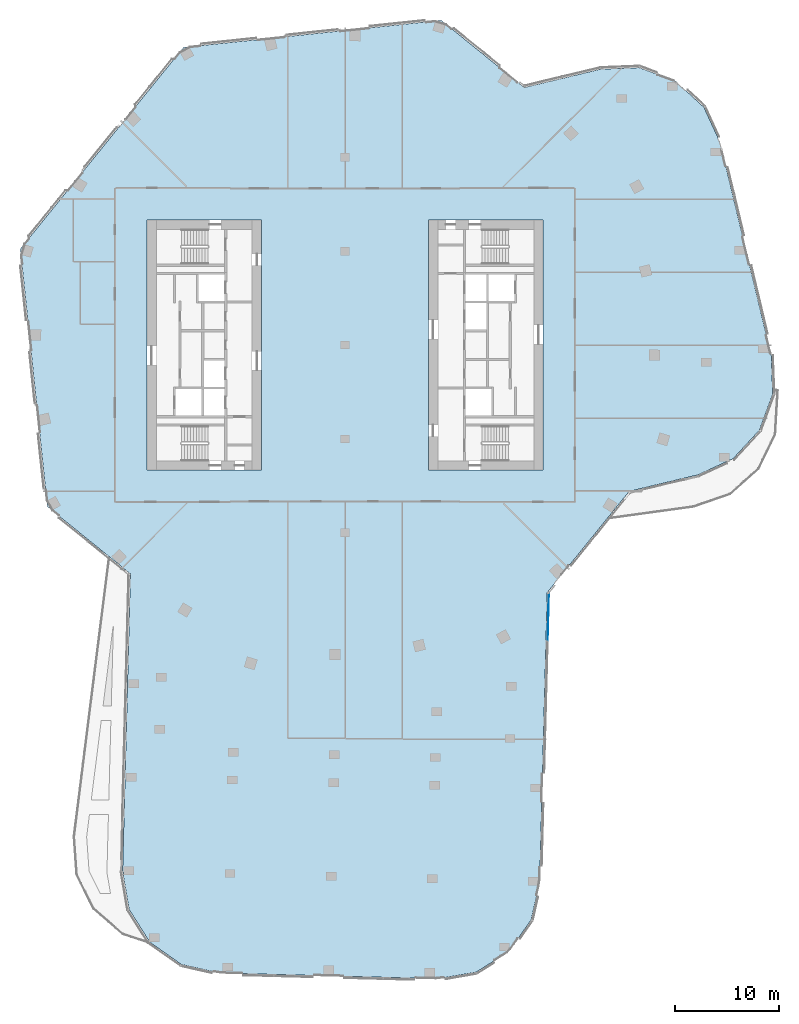
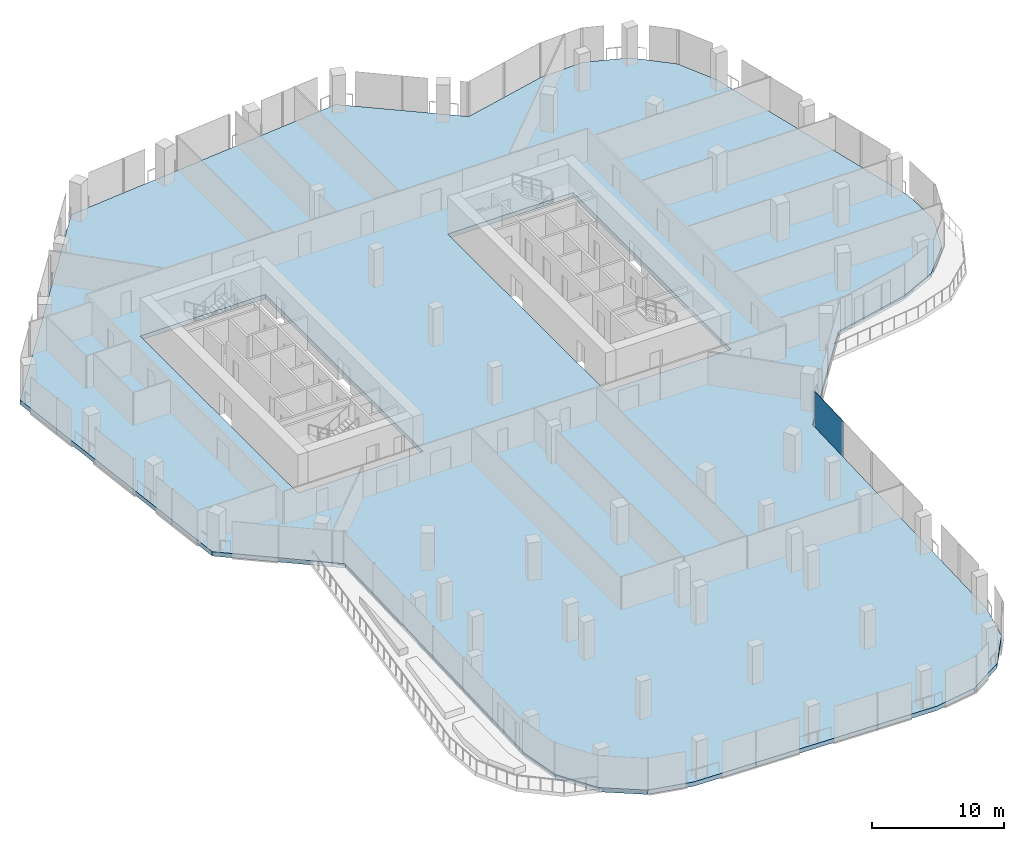
# One storey, part 11 of 24: 1 plate, 1 slab, 1 element without a shape of its own.
"""IFC4 building model written with IfcOpenShell, lengths in metres."""

import ifcopenshell
import ifcopenshell.guid

model = None  # the IFC model being written
_history = None  # IfcOwnerHistory: only IFC2X3 demands one
_inside = {}  # id of a spatial element -> (the spatial element, [elements in it])
_under = {}  # id of a project, library or spatial element -> (it, [spatial elements below it])
_declared = {}  # id of a project -> (the project, [libraries it declares])
_typed = {}  # id of a type object -> (the type object, [elements of that type])
_made_of = {}  # id of a material, layer set ... -> (it, [elements and type objects made of it])


def new_model(schema):
    """Start an empty IFC model of exactly this schema.

    Asked for "IFC4X3", IfcOpenShell would pick the latest addendum, in which some entities
    have other attributes; the version numbers below select the first issue.
    IFC2X3 requires an IfcOwnerHistory on every rooted entity: one is made here for all.
    """
    global model, _history
    if schema == "IFC4X3":
        model = ifcopenshell.file(schema_version=(4, 3, 0, 0))
    else:
        model = ifcopenshell.file(schema=schema)
    _inside.clear()
    _under.clear()
    _declared.clear()
    _typed.clear()
    _made_of.clear()
    _history = None
    if model.schema == "IFC2X3":
        org = make("IfcOrganization", Name="unknown")
        user = make(
            "IfcPersonAndOrganization",
            ThePerson=make("IfcPerson", FamilyName="unknown"),
            TheOrganization=org,
        )
        app = make(
            "IfcApplication",
            ApplicationDeveloper=org,
            Version="unknown",
            ApplicationFullName="unknown",
            ApplicationIdentifier="unknown",
        )
        _history = make(
            "IfcOwnerHistory",
            OwningUser=user,
            OwningApplication=app,
            ChangeAction="ADDED",
            CreationDate=0,
        )
    return model


def make(cls, **values):
    """One entity of the class cls with the attributes given. An attribute that is None is left unset."""
    return model.create_entity(
        cls, **{name: value for name, value in values.items() if value is not None}
    )


def rooted(cls, **values):
    """An entity with a GlobalId (a new one), such as an element, a storey or a relation."""
    return make(cls, GlobalId=ifcopenshell.guid.new(), OwnerHistory=_history, **values)


def si_unit(unit_type, name, prefix=None):
    """IfcSIUnit, for example si_unit("LENGTHUNIT", "METRE", prefix="MILLI")."""
    return make("IfcSIUnit", UnitType=unit_type, Prefix=prefix, Name=name)


def assignment(units):
    """IfcUnitAssignment: the units of a project."""
    return None if units is None else make("IfcUnitAssignment", Units=units)


def point(xyz):
    """IfcCartesianPoint."""
    return None if xyz is None else make("IfcCartesianPoint", Coordinates=xyz)


def direction(xyz):
    """IfcDirection."""
    return None if xyz is None else make("IfcDirection", DirectionRatios=xyz)


def frame(location, z_axis=None, x_axis=None):
    """IfcAxis2Placement3D, a coordinate frame: its origin and axes. An axis left out is left unset."""
    return make(
        "IfcAxis2Placement3D",
        Location=point(location),
        Axis=direction(z_axis),
        RefDirection=direction(x_axis),
    )


def frame_2d(location, x_axis=None):
    """IfcAxis2Placement2D, a coordinate frame in the plane: its origin and x axis."""
    return make(
        "IfcAxis2Placement2D", Location=point(location), RefDirection=direction(x_axis)
    )


def origin():
    """The frame at (0, 0, 0) with its axes left unset."""
    return frame((0.0, 0.0, 0.0))


def origin_2d():
    """The frame at (0, 0) in the plane with its x axis left unset."""
    return frame_2d((0.0, 0.0))


def place(relative_to, where):
    """IfcLocalPlacement: puts the frame where relative to a parent placement (None: the world)."""
    return make(
        "IfcLocalPlacement", PlacementRelTo=relative_to, RelativePlacement=where
    )


def context(
    kind, dimensions, precision=None, world=None, true_north=None, identifier=None
):
    """IfcGeometricRepresentationContext, for example the 3D "Model" context."""
    return make(
        "IfcGeometricRepresentationContext",
        ContextIdentifier=identifier,
        ContextType=kind,
        CoordinateSpaceDimension=dimensions,
        Precision=precision,
        WorldCoordinateSystem=world,
        TrueNorth=true_north,
    )


def subcontext(parent, identifier, kind, view, scale=None):
    """IfcGeometricRepresentationSubContext, for example "Body" below "Model"."""
    return make(
        "IfcGeometricRepresentationSubContext",
        ContextIdentifier=identifier,
        ContextType=kind,
        ParentContext=parent,
        TargetScale=scale,
        TargetView=view,
    )


def project(units=None, contexts=None):
    """IfcProject with its units and contexts."""
    return rooted(
        "IfcProject",
        Name="project",
        RepresentationContexts=contexts,
        UnitsInContext=assignment(units),
    )


def spatial(cls, under=None, at=None, **own):
    """A site, building, storey or space (cls), placed at a placement, below another one or the project."""
    s = rooted(cls, ObjectPlacement=at, **own)
    if under is not None:
        _under.setdefault(under.id(), (under, []))[1].append(s)
    return s


def polyline(points):
    """IfcPolyline through the points."""
    return make("IfcPolyline", Points=[point(p) for p in points])


def profile(cls, at=None, kind="AREA", **sizes):
    """A parametric profile (cls). Its sizes go by their IFC names, for example OverallWidth=200.0."""
    return make(cls, ProfileType=kind, Position=at, **sizes)


def rectangle(**sizes):
    """IfcRectangleProfileDef."""
    return profile("IfcRectangleProfileDef", **sizes)


def outline(outer, holes=None, kind="AREA"):
    """IfcArbitraryClosedProfileDef: a profile drawn as a closed curve; with holes, ...WithVoids."""
    if holes is None:
        return make("IfcArbitraryClosedProfileDef", ProfileType=kind, OuterCurve=outer)
    return make(
        "IfcArbitraryProfileDefWithVoids",
        ProfileType=kind,
        OuterCurve=outer,
        InnerCurves=holes,
    )


def extrude(swept, where, along, depth):
    """IfcExtrudedAreaSolid: the profile swept, set in the frame where, extruded along a direction by depth."""
    return make(
        "IfcExtrudedAreaSolid",
        SweptArea=swept,
        Position=where,
        ExtrudedDirection=direction(along),
        Depth=depth,
    )


def shape(context_of_items, identifier, shape_type, items):
    """IfcShapeRepresentation: the items that make up one representation, for example the "Body"."""
    return make(
        "IfcShapeRepresentation",
        ContextOfItems=context_of_items,
        RepresentationIdentifier=identifier,
        RepresentationType=shape_type,
        Items=items,
    )


def material(Name=None, Category=None):
    """IfcMaterial."""
    return make("IfcMaterial", Name=Name, Category=Category)


def layer(
    of_material, thickness, ventilated=None, Name=None, Category=None, Priority=None
):
    """IfcMaterialLayer: one layer of a wall or slab, of a material (None: an air gap)."""
    return make(
        "IfcMaterialLayer",
        Material=of_material,
        LayerThickness=thickness,
        IsVentilated=ventilated,
        Name=Name,
        Category=Category,
        Priority=Priority,
    )


def layer_set(layers, Name=None):
    """IfcMaterialLayerSet."""
    return make("IfcMaterialLayerSet", MaterialLayers=layers, LayerSetName=Name)


def made_of(thing, what):
    """Note that an element or type object is made of a material, layer set ...; save() writes the relation."""
    if what is not None:
        _made_of.setdefault(what.id(), (what, []))[1].append(thing)
    return thing


def type_object(cls, material=None, **own):
    """A type object (cls), such as IfcWallType, which elements share."""
    return made_of(rooted(cls, **own), material)


def element(
    cls,
    number,
    at=None,
    inside=None,
    cuts=None,
    type_object=None,
    material=None,
    context=None,
    identifier="Body",
    shape_type=None,
    held_by="IfcProductDefinitionShape",
    body=None,
    shapes=None,
    **own,
):
    """One element of the class cls, such as IfcWall. Its Tag is "e" and its number.

    at: its placement. inside: the storey or other place that contains it. cuts: it is an
    opening in that element (IfcRelVoidsElement). A single representation is given by context,
    identifier, shape_type and body (its items); several are given by shapes. held_by: the class
    of the entity that holds the representations. save() writes the other relations.
    """
    e = rooted(cls, Tag="e%d" % number, ObjectPlacement=at, **own)
    if body is not None:
        shapes = [shape(context, identifier, shape_type, body)]
    if shapes is not None:
        e.Representation = make(held_by, Representations=shapes)
    if inside is not None:
        _inside.setdefault(inside.id(), (inside, []))[1].append(e)
    if cuts is not None:
        rooted(
            "IfcRelVoidsElement", RelatingBuildingElement=cuts, RelatedOpeningElement=e
        )
    if type_object is not None:
        _typed.setdefault(type_object.id(), (type_object, []))[1].append(e)
    return made_of(e, material)


def aggregate(whole, parts):
    """IfcRelAggregates: a whole, such as a stair, and the parts it consists of."""
    return rooted("IfcRelAggregates", RelatingObject=whole, RelatedObjects=parts)


def save(model, path):
    """Write the relations noted so far, then the file.

    IfcRelAggregates (storeys below a building ...), IfcRelContainedInSpatialStructure (elements
    in a storey), IfcRelDefinesByType, IfcRelAssociatesMaterial and IfcRelDeclares: one each for
    every whole, place, type object, material and project.
    """
    for whole, parts in _under.values():
        aggregate(whole, parts)
    for where, things in _inside.values():
        rooted(
            "IfcRelContainedInSpatialStructure",
            RelatedElements=things,
            RelatingStructure=where,
        )
    for kind, things in _typed.values():
        rooted("IfcRelDefinesByType", RelatedObjects=things, RelatingType=kind)
    for what, things in _made_of.values():
        rooted("IfcRelAssociatesMaterial", RelatedObjects=things, RelatingMaterial=what)
    for by, libraries in _declared.values():
        rooted("IfcRelDeclares", RelatingContext=by, RelatedDefinitions=libraries)
    model.write(path)


model = new_model("IFC4")

# Units and contexts
model_context = context("Model", 3, precision=1e-05, world=origin(), true_north=direction((0.0, 1.0)))
body_context = subcontext(model_context, "Body", "Model", "MODEL_VIEW")
ifc_project = project(units=[si_unit("LENGTHUNIT", "METRE"), si_unit("AREAUNIT", "SQUARE_METRE"), si_unit("VOLUMEUNIT", "CUBIC_METRE"), si_unit("PLANEANGLEUNIT", "RADIAN"), si_unit("MASSUNIT", "GRAM", prefix="KILO")], contexts=[model_context])

# Site, building, storey
site_placement = place(None, origin())
site = spatial("IfcSite", under=ifc_project, at=site_placement, CompositionType="ELEMENT")
building_placement = place(site_placement, origin())
building = spatial("IfcBuilding", under=site, at=building_placement, Name="Orlundy Tower", CompositionType="ELEMENT")
storey_placement = place(building_placement, frame((0.0, 0.0, 210.5)))
storey = spatial("IfcBuildingStorey", under=building, at=storey_placement, Name="L55", CompositionType="ELEMENT", Elevation=210.5)

# Curtain wall, plate
ifc_material_1 = material(Name="Aluminium bronze anodised", Category="aluminium")
curtain_wall_type = type_object("IfcCurtainWallType", Name="CW1 wall", PredefinedType="NOTDEFINED", material=ifc_material_1)
curtain_wall_placement = place(storey_placement, origin())
curtain_wall = element("IfcCurtainWall", 1, at=curtain_wall_placement, inside=storey, type_object=curtain_wall_type, Name="CW1 run 018", PredefinedType="NOTDEFINED")
ifc_material_2 = material(Name="Tinted glass", Category="glass")
ifc_layer_1 = layer(ifc_material_2, 0.031982421875)
ifc_layer_set_1 = layer_set([ifc_layer_1], Name="CW1 glass panel 32")
plate_type = type_object("IfcPlateType", Name="CW1 glass panel 32", PredefinedType="CURTAIN_PANEL", material=ifc_layer_set_1)
plate_placement = place(storey_placement, frame((19.488037109375, -26.065185546875, -0.280029296875), z_axis=(0.0, 0.0, 1.0), x_axis=(-0.026165655813, -0.999657620616, 0.0)))
plate = element("IfcPlate", 2, at=plate_placement, type_object=plate_type, Name="CW1 panel", PredefinedType="CURTAIN_PANEL", context=body_context, shape_type="SweptSolid", body=[
    extrude(rectangle(XDim=4.550048828125, YDim=0.031982421875, at=origin_2d()), origin(), (0.0, 0.0, 1.0), 3.3798828125),
])
aggregate(curtain_wall, [plate])

# Slab
ifc_material_3 = material(Name="Concrete C45/55", Category="concrete")
ifc_layer_2 = layer(ifc_material_3, 0.39990234375)
ifc_layer_set_2 = layer_set([ifc_layer_2], Name="FLOOR SLAB THICK 400 C45/55")
slab_type = type_object("IfcSlabType", Name="FLOOR SLAB THICK 400 C45/55", PredefinedType="FLOOR", material=ifc_layer_set_2)
slab_placement = place(storey_placement, frame((0.0, 0.0, -0.39990234375)))
element("IfcSlab", 3, at=slab_placement, inside=storey, type_object=slab_type, Name="Floor slab L55", PredefinedType="FLOOR", context=body_context, shape_type="SweptSolid", body=[
    extrude(outline(polyline([(-20.5810546875, -21.93603515625), (-28.537109375, -15.493896484375), (-31.135009765625, 9.221923828125), (-15.493896484375, 28.537109375), (9.221923828125, 31.135009765625), (17.177978515625, 24.69189453125), (24.501953125, 26.450927734375), (28.2060546875, 26.595947265625), (31.68408203125, 25.31298828125), (34.406005859375, 22.797119140625), (35.95703125, 19.430908203125), (40.860107421875, -0.989013671875), (41.0048828125, -4.693115234375), (39.721923828125, -8.169921875), (37.2060546875, -10.89208984375), (33.840087890625, -12.444091796875), (27.242919921875, -14.028076171875), (19.385009765625, -23.73095703125), (18.657958984375, -51.506103515625), (17.840087890625, -55.12109375), (15.700927734375, -58.14794921875), (12.56591796875, -60.1259765625), (8.9130859375, -60.75390625), (-12.080078125, -60.2041015625), (-15.695068359375, -59.385986328125), (-18.721923828125, -57.2470703125), (-20.699951171875, -54.112060546875), (-21.327880859375, -50.458984375), (-20.5810546875, -21.93603515625)]), holes=[polyline([(-8.0, -12.0), (-8.0, 12.0), (-19.0, 12.0), (-19.0, -12.0), (-8.0, -12.0)]), polyline([(19.0, -12.0), (19.0, 12.0), (8.0, 12.0), (8.0, -12.0), (19.0, -12.0)])]), origin(), (0.0, 0.0, 1.0), 0.39990234375),
])

save(model, "model.ifc")
